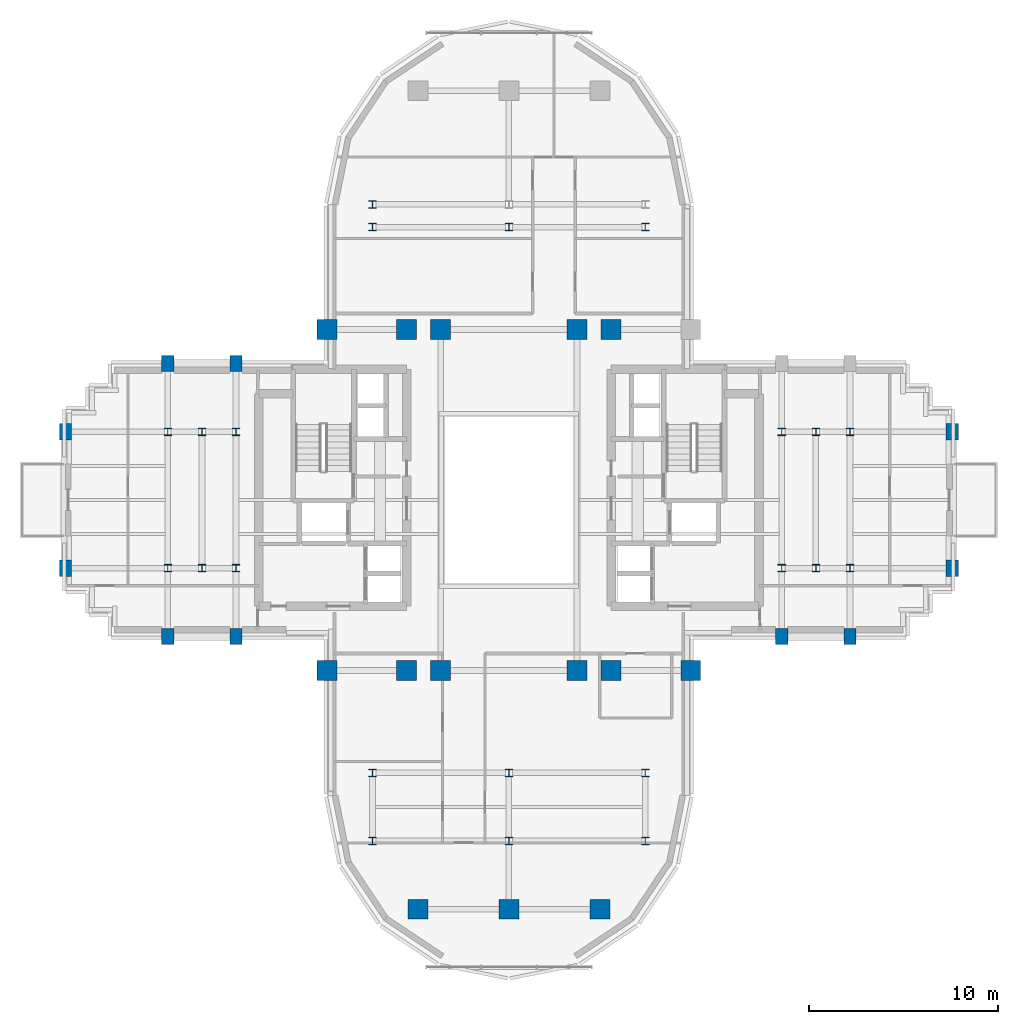
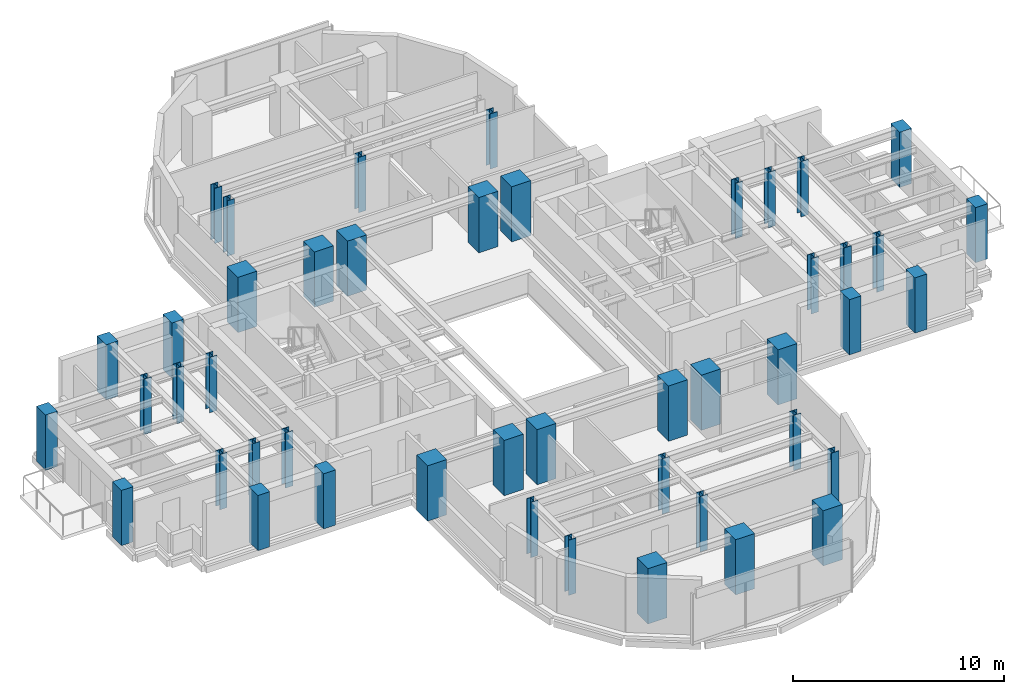
# One storey, part 1 of 13: 46 columns.
"""IFC4 building model written with IfcOpenShell, lengths in metres."""

import ifcopenshell
import ifcopenshell.guid

model = None  # the IFC model being written
_history = None  # IfcOwnerHistory: only IFC2X3 demands one
_inside = {}  # id of a spatial element -> (the spatial element, [elements in it])
_under = {}  # id of a project, library or spatial element -> (it, [spatial elements below it])
_declared = {}  # id of a project -> (the project, [libraries it declares])
_typed = {}  # id of a type object -> (the type object, [elements of that type])
_made_of = {}  # id of a material, layer set ... -> (it, [elements and type objects made of it])


def new_model(schema):
    """Start an empty IFC model of exactly this schema.

    Asked for "IFC4X3", IfcOpenShell would pick the latest addendum, in which some entities
    have other attributes; the version numbers below select the first issue.
    IFC2X3 requires an IfcOwnerHistory on every rooted entity: one is made here for all.
    """
    global model, _history
    if schema == "IFC4X3":
        model = ifcopenshell.file(schema_version=(4, 3, 0, 0))
    else:
        model = ifcopenshell.file(schema=schema)
    _inside.clear()
    _under.clear()
    _declared.clear()
    _typed.clear()
    _made_of.clear()
    _history = None
    if model.schema == "IFC2X3":
        org = make("IfcOrganization", Name="unknown")
        user = make(
            "IfcPersonAndOrganization",
            ThePerson=make("IfcPerson", FamilyName="unknown"),
            TheOrganization=org,
        )
        app = make(
            "IfcApplication",
            ApplicationDeveloper=org,
            Version="unknown",
            ApplicationFullName="unknown",
            ApplicationIdentifier="unknown",
        )
        _history = make(
            "IfcOwnerHistory",
            OwningUser=user,
            OwningApplication=app,
            ChangeAction="ADDED",
            CreationDate=0,
        )
    return model


def make(cls, **values):
    """One entity of the class cls with the attributes given. An attribute that is None is left unset."""
    return model.create_entity(
        cls, **{name: value for name, value in values.items() if value is not None}
    )


def rooted(cls, **values):
    """An entity with a GlobalId (a new one), such as an element, a storey or a relation."""
    return make(cls, GlobalId=ifcopenshell.guid.new(), OwnerHistory=_history, **values)


def si_unit(unit_type, name, prefix=None):
    """IfcSIUnit, for example si_unit("LENGTHUNIT", "METRE", prefix="MILLI")."""
    return make("IfcSIUnit", UnitType=unit_type, Prefix=prefix, Name=name)


def assignment(units):
    """IfcUnitAssignment: the units of a project."""
    return None if units is None else make("IfcUnitAssignment", Units=units)


def point(xyz):
    """IfcCartesianPoint."""
    return None if xyz is None else make("IfcCartesianPoint", Coordinates=xyz)


def direction(xyz):
    """IfcDirection."""
    return None if xyz is None else make("IfcDirection", DirectionRatios=xyz)


def frame(location, z_axis=None, x_axis=None):
    """IfcAxis2Placement3D, a coordinate frame: its origin and axes. An axis left out is left unset."""
    return make(
        "IfcAxis2Placement3D",
        Location=point(location),
        Axis=direction(z_axis),
        RefDirection=direction(x_axis),
    )


def frame_2d(location, x_axis=None):
    """IfcAxis2Placement2D, a coordinate frame in the plane: its origin and x axis."""
    return make(
        "IfcAxis2Placement2D", Location=point(location), RefDirection=direction(x_axis)
    )


def origin():
    """The frame at (0, 0, 0) with its axes left unset."""
    return frame((0.0, 0.0, 0.0))


def origin_2d():
    """The frame at (0, 0) in the plane with its x axis left unset."""
    return frame_2d((0.0, 0.0))


def place(relative_to, where):
    """IfcLocalPlacement: puts the frame where relative to a parent placement (None: the world)."""
    return make(
        "IfcLocalPlacement", PlacementRelTo=relative_to, RelativePlacement=where
    )


def context(
    kind, dimensions, precision=None, world=None, true_north=None, identifier=None
):
    """IfcGeometricRepresentationContext, for example the 3D "Model" context."""
    return make(
        "IfcGeometricRepresentationContext",
        ContextIdentifier=identifier,
        ContextType=kind,
        CoordinateSpaceDimension=dimensions,
        Precision=precision,
        WorldCoordinateSystem=world,
        TrueNorth=true_north,
    )


def subcontext(parent, identifier, kind, view, scale=None):
    """IfcGeometricRepresentationSubContext, for example "Body" below "Model"."""
    return make(
        "IfcGeometricRepresentationSubContext",
        ContextIdentifier=identifier,
        ContextType=kind,
        ParentContext=parent,
        TargetScale=scale,
        TargetView=view,
    )


def project(units=None, contexts=None):
    """IfcProject with its units and contexts."""
    return rooted(
        "IfcProject",
        Name="project",
        RepresentationContexts=contexts,
        UnitsInContext=assignment(units),
    )


def spatial(cls, under=None, at=None, **own):
    """A site, building, storey or space (cls), placed at a placement, below another one or the project."""
    s = rooted(cls, ObjectPlacement=at, **own)
    if under is not None:
        _under.setdefault(under.id(), (under, []))[1].append(s)
    return s


def profile(cls, at=None, kind="AREA", **sizes):
    """A parametric profile (cls). Its sizes go by their IFC names, for example OverallWidth=200.0."""
    return make(cls, ProfileType=kind, Position=at, **sizes)


def rectangle(**sizes):
    """IfcRectangleProfileDef."""
    return profile("IfcRectangleProfileDef", **sizes)


def i_section(**sizes):
    """IfcIShapeProfileDef."""
    return profile("IfcIShapeProfileDef", **sizes)


def extrude(swept, where, along, depth):
    """IfcExtrudedAreaSolid: the profile swept, set in the frame where, extruded along a direction by depth."""
    return make(
        "IfcExtrudedAreaSolid",
        SweptArea=swept,
        Position=where,
        ExtrudedDirection=direction(along),
        Depth=depth,
    )


def shape(context_of_items, identifier, shape_type, items):
    """IfcShapeRepresentation: the items that make up one representation, for example the "Body"."""
    return make(
        "IfcShapeRepresentation",
        ContextOfItems=context_of_items,
        RepresentationIdentifier=identifier,
        RepresentationType=shape_type,
        Items=items,
    )


def source(mapping_origin, context_of_items, identifier, shape_type, items):
    """IfcRepresentationMap: a shape defined once, which mapped items show again and again."""
    return make(
        "IfcRepresentationMap",
        MappingOrigin=mapping_origin,
        MappedRepresentation=shape(context_of_items, identifier, shape_type, items),
    )


def transform(
    local_origin,
    x_axis=None,
    y_axis=None,
    z_axis=None,
    scale=None,
    scale2=None,
    scale3=None,
    uniform=True,
):
    """IfcCartesianTransformationOperator3D, or its non-uniform kind. x_axis, y_axis, z_axis: its Axis1, 2, 3."""
    if uniform:
        return make(
            "IfcCartesianTransformationOperator3D",
            Axis1=direction(x_axis),
            Axis2=direction(y_axis),
            LocalOrigin=point(local_origin),
            Scale=scale,
            Axis3=direction(z_axis),
        )
    return make(
        "IfcCartesianTransformationOperator3DnonUniform",
        Axis1=direction(x_axis),
        Axis2=direction(y_axis),
        LocalOrigin=point(local_origin),
        Scale=scale,
        Axis3=direction(z_axis),
        Scale2=scale2,
        Scale3=scale3,
    )


def mapped(mapping_source, mapping_target):
    """IfcMappedItem: shows the shape of a source again, moved by a transform."""
    return make(
        "IfcMappedItem", MappingSource=mapping_source, MappingTarget=mapping_target
    )


def material(Name=None, Category=None):
    """IfcMaterial."""
    return make("IfcMaterial", Name=Name, Category=Category)


def material_profile(
    of_material, cross_section, Name=None, Category=None, Priority=None
):
    """IfcMaterialProfile: a cross section and its material."""
    return make(
        "IfcMaterialProfile",
        Name=Name,
        Material=of_material,
        Profile=cross_section,
        Priority=Priority,
        Category=Category,
    )


def profile_set(profiles, Name=None, composite=None):
    """IfcMaterialProfileSet."""
    return make(
        "IfcMaterialProfileSet",
        Name=Name,
        MaterialProfiles=profiles,
        CompositeProfile=composite,
    )


def made_of(thing, what):
    """Note that an element or type object is made of a material, layer set ...; save() writes the relation."""
    if what is not None:
        _made_of.setdefault(what.id(), (what, []))[1].append(thing)
    return thing


def type_object(cls, material=None, **own):
    """A type object (cls), such as IfcWallType, which elements share."""
    return made_of(rooted(cls, **own), material)


def element(
    cls,
    number,
    at=None,
    inside=None,
    cuts=None,
    type_object=None,
    material=None,
    context=None,
    identifier="Body",
    shape_type=None,
    held_by="IfcProductDefinitionShape",
    body=None,
    shapes=None,
    **own,
):
    """One element of the class cls, such as IfcWall. Its Tag is "e" and its number.

    at: its placement. inside: the storey or other place that contains it. cuts: it is an
    opening in that element (IfcRelVoidsElement). A single representation is given by context,
    identifier, shape_type and body (its items); several are given by shapes. held_by: the class
    of the entity that holds the representations. save() writes the other relations.
    """
    e = rooted(cls, Tag="e%d" % number, ObjectPlacement=at, **own)
    if body is not None:
        shapes = [shape(context, identifier, shape_type, body)]
    if shapes is not None:
        e.Representation = make(held_by, Representations=shapes)
    if inside is not None:
        _inside.setdefault(inside.id(), (inside, []))[1].append(e)
    if cuts is not None:
        rooted(
            "IfcRelVoidsElement", RelatingBuildingElement=cuts, RelatedOpeningElement=e
        )
    if type_object is not None:
        _typed.setdefault(type_object.id(), (type_object, []))[1].append(e)
    return made_of(e, material)


def aggregate(whole, parts):
    """IfcRelAggregates: a whole, such as a stair, and the parts it consists of."""
    return rooted("IfcRelAggregates", RelatingObject=whole, RelatedObjects=parts)


def save(model, path):
    """Write the relations noted so far, then the file.

    IfcRelAggregates (storeys below a building ...), IfcRelContainedInSpatialStructure (elements
    in a storey), IfcRelDefinesByType, IfcRelAssociatesMaterial and IfcRelDeclares: one each for
    every whole, place, type object, material and project.
    """
    for whole, parts in _under.values():
        aggregate(whole, parts)
    for where, things in _inside.values():
        rooted(
            "IfcRelContainedInSpatialStructure",
            RelatedElements=things,
            RelatingStructure=where,
        )
    for kind, things in _typed.values():
        rooted("IfcRelDefinesByType", RelatedObjects=things, RelatingType=kind)
    for what, things in _made_of.values():
        rooted("IfcRelAssociatesMaterial", RelatedObjects=things, RelatingMaterial=what)
    for by, libraries in _declared.values():
        rooted("IfcRelDeclares", RelatingContext=by, RelatedDefinitions=libraries)
    model.write(path)


model = new_model("IFC4")

# Units and contexts
model_context = context("Model", 3, precision=1e-05, world=origin(), true_north=direction((0.0, 1.0)))
body_context = subcontext(model_context, "Body", "Model", "MODEL_VIEW")
ifc_project = project(units=[si_unit("LENGTHUNIT", "METRE"), si_unit("AREAUNIT", "SQUARE_METRE"), si_unit("VOLUMEUNIT", "CUBIC_METRE"), si_unit("PLANEANGLEUNIT", "RADIAN"), si_unit("MASSUNIT", "GRAM", prefix="KILO")], contexts=[model_context])

# Site, building, storey
site_placement = place(None, origin())
site = spatial("IfcSite", under=ifc_project, at=site_placement, CompositionType="ELEMENT")
building_placement = place(site_placement, origin())
building = spatial("IfcBuilding", under=site, at=building_placement, Name="Keilestroom Media Tower", CompositionType="ELEMENT")
storey_placement = place(building_placement, frame((0.0, 0.0, 107.39990234375)))
storey = spatial("IfcBuildingStorey", under=building, at=storey_placement, Name="L28", CompositionType="ELEMENT", Elevation=107.39990234375)

# Columns
ifc_material_1 = material(Name="Precast concrete C40/50", Category="concrete")
ifc_material_profile_1 = material_profile(ifc_material_1, rectangle(XDim=0.64990234375, YDim=0.85009765625, at=origin_2d()), Name="PC 850x650")
ifc_profile_set_1 = profile_set([ifc_material_profile_1], Name="Precast concrete C40/50")
column_type_1 = type_object("IfcColumnType", Name="Structural-Column-PC-850x650", PredefinedType="COLUMN", material=ifc_profile_set_1)
shared_shape_1 = source(origin(), body_context, "Body", "SweptSolid", [
    extrude(rectangle(XDim=0.64990234375, YDim=0.85009765625, at=origin_2d()), origin(), (0.0, 0.0, 1.0), 3.2001953125),
])
for number, where, z_axis, x_axis, name in (
    (1, (-23.39990234375, -3.60009765625, 0.0), (0.0, 0.0, 1.0), (1.0, 0.0, 0.0), "L28 Column PC-2 (-23.4,-3.6)"),
    (2, (-23.39990234375, 3.60009765625, 0.0), (0.0, 0.0, 1.0), (1.0, 0.0, 0.0), "L28 Column PC-2 (-23.4,+3.6)"),
    (3, (-18.0, -7.199951171875, 0.0), (0.0, 0.0, 1.0), (1.0, 0.0, 0.0), "L28 Column PC-2 (-18.0,-7.2)"),
    (4, (-18.0, 7.199951171875, 0.0), (0.0, 0.0, 1.0), (1.0, 0.0, 0.0), "L28 Column PC-2 (-18.0,+7.2)"),
    (5, (-14.39990234375, -7.199951171875, 0.0), (0.0, 0.0, 1.0), (1.0, 0.0, 0.0), "L28 Column PC-2 (-14.4,-7.2)"),
    (6, (-14.39990234375, 7.199951171875, 0.0), (0.0, 0.0, 1.0), (1.0, 0.0, 0.0), "L28 Column PC-2 (-14.4,+7.2)"),
    (7, (14.39990234375, -7.199951171875, 0.0), (0.0, 0.0, 1.0), (1.0, 0.0, 0.0), "L28 Column PC-2 (+14.4,-7.2)"),
    (8, (18.0, -7.199951171875, 0.0), (0.0, 0.0, 1.0), (1.0, 0.0, 0.0), "L28 Column PC-2 (+18.0,-7.2)"),
    (9, (23.39990234375, -3.60009765625, 0.0), (0.0, 0.0, 1.0), (1.0, 0.0, 0.0), "L28 Column PC-2 (+23.4,-3.6)"),
    (10, (23.39990234375, 3.60009765625, 0.0), (0.0, 0.0, 1.0), (1.0, 0.0, 0.0), "L28 Column PC-2 (+23.4,+3.6)"),
):
    element("IfcColumn", number, at=place(storey_placement, frame(where, z_axis=z_axis, x_axis=x_axis)), inside=storey, type_object=column_type_1, Name=name, PredefinedType="COLUMN", context=body_context, shape_type="MappedRepresentation", body=[
        mapped(shared_shape_1, transform((0.0, 0.0, 0.0), x_axis=(1.0, 0.0, 0.0), y_axis=(0.0, 1.0, 0.0), z_axis=(0.0, 0.0, 1.0), scale=1.0)),
    ])
ifc_material_2 = material(Name="Steel S355", Category="steel")
ifc_material_profile_2 = material_profile(ifc_material_2, i_section(OverallWidth=0.40087890625, OverallDepth=0.39892578125, WebThickness=0.02001953125, FlangeThickness=0.031982421875, at=origin_2d()), Name="HD 400x314")
ifc_profile_set_2 = profile_set([ifc_material_profile_2], Name="Steel S355")
column_type_2 = type_object("IfcColumnType", Name="Structural-Column-HD-400x314", PredefinedType="COLUMN", material=ifc_profile_set_2)
shared_shape_2 = source(origin(), body_context, "Body", "SweptSolid", [
    extrude(i_section(OverallWidth=0.40087890625, OverallDepth=0.39892578125, WebThickness=0.02001953125, FlangeThickness=0.031982421875, at=origin_2d()), origin(), (0.0, 0.0, 1.0), 3.2001953125),
])
for number, where, z_axis, x_axis, name in (
    (11, (-18.0, -3.60009765625, 0.0), (0.0, 0.0, 1.0), (1.0, 0.0, 0.0), "L28 Column SC-3 (-18.0,-3.6)"),
    (12, (-18.0, 3.60009765625, 0.0), (0.0, 0.0, 1.0), (1.0, 0.0, 0.0), "L28 Column SC-3 (-18.0,+3.6)"),
    (13, (-16.199951171875, -3.60009765625, 0.0), (0.0, 0.0, 1.0), (1.0, 0.0, 0.0), "L28 Column SC-3 (-16.2,-3.6)"),
    (14, (-16.199951171875, 3.60009765625, 0.0), (0.0, 0.0, 1.0), (1.0, 0.0, 0.0), "L28 Column SC-3 (-16.2,+3.6)"),
    (15, (-14.39990234375, -3.60009765625, 0.0), (0.0, 0.0, 1.0), (1.0, 0.0, 0.0), "L28 Column SC-3 (-14.4,-3.6)"),
    (16, (-14.39990234375, 3.60009765625, 0.0), (0.0, 0.0, 1.0), (1.0, 0.0, 0.0), "L28 Column SC-3 (-14.4,+3.6)"),
    (17, (-7.199951171875, -18.0, 0.0), (0.0, 0.0, 1.0), (1.0, 0.0, 0.0), "L28 Column SC-3 (-7.2,-18.0)"),
    (18, (-7.199951171875, -14.39990234375, 0.0), (0.0, 0.0, 1.0), (1.0, 0.0, 0.0), "L28 Column SC-3 (-7.2,-14.4)"),
    (19, (-7.199951171875, 14.39990234375, 0.0), (0.0, 0.0, 1.0), (1.0, 0.0, 0.0), "L28 Column SC-3 (-7.2,+14.4)"),
    (20, (-7.199951171875, 15.60009765625, 0.0), (0.0, 0.0, 1.0), (1.0, 0.0, 0.0), "L28 Column SC-3 (-7.2,+15.6)"),
    (21, (0.0, -18.0, 0.0), (0.0, 0.0, 1.0), (1.0, 0.0, 0.0), "L28 Column SC-3 (+0.0,-18.0)"),
    (22, (0.0, -14.39990234375, 0.0), (0.0, 0.0, 1.0), (1.0, 0.0, 0.0), "L28 Column SC-3 (+0.0,-14.4)"),
    (23, (0.0, 14.39990234375, 0.0), (0.0, 0.0, 1.0), (1.0, 0.0, 0.0), "L28 Column SC-3 (+0.0,+14.4)"),
    (24, (7.199951171875, -18.0, 0.0), (0.0, 0.0, 1.0), (1.0, 0.0, 0.0), "L28 Column SC-3 (+7.2,-18.0)"),
    (25, (7.199951171875, -14.39990234375, 0.0), (0.0, 0.0, 1.0), (1.0, 0.0, 0.0), "L28 Column SC-3 (+7.2,-14.4)"),
    (26, (7.199951171875, 14.39990234375, 0.0), (0.0, 0.0, 1.0), (1.0, 0.0, 0.0), "L28 Column SC-3 (+7.2,+14.4)"),
    (27, (14.39990234375, -3.60009765625, 0.0), (0.0, 0.0, 1.0), (1.0, 0.0, 0.0), "L28 Column SC-3 (+14.4,-3.6)"),
    (28, (14.39990234375, 3.60009765625, 0.0), (0.0, 0.0, 1.0), (1.0, 0.0, 0.0), "L28 Column SC-3 (+14.4,+3.6)"),
    (29, (16.199951171875, -3.60009765625, 0.0), (0.0, 0.0, 1.0), (1.0, 0.0, 0.0), "L28 Column SC-3 (+16.2,-3.6)"),
    (30, (16.199951171875, 3.60009765625, 0.0), (0.0, 0.0, 1.0), (1.0, 0.0, 0.0), "L28 Column SC-3 (+16.2,+3.6)"),
    (31, (18.0, -3.60009765625, 0.0), (0.0, 0.0, 1.0), (1.0, 0.0, 0.0), "L28 Column SC-3 (+18.0,-3.6)"),
    (32, (18.0, 3.60009765625, 0.0), (0.0, 0.0, 1.0), (1.0, 0.0, 0.0), "L28 Column SC-3 (+18.0,+3.6)"),
):
    element("IfcColumn", number, at=place(storey_placement, frame(where, z_axis=z_axis, x_axis=x_axis)), inside=storey, type_object=column_type_2, Name=name, PredefinedType="COLUMN", context=body_context, shape_type="MappedRepresentation", body=[
        mapped(shared_shape_2, transform((0.0, 0.0, 0.0), x_axis=(1.0, 0.0, 0.0), y_axis=(0.0, 1.0, 0.0), z_axis=(0.0, 0.0, 1.0), scale=1.0)),
    ])
ifc_material_3 = material(Name="Concrete C55/67", Category="concrete")
ifc_material_profile_3 = material_profile(ifc_material_3, rectangle(XDim=1.050048828125, YDim=1.050048828125, at=origin_2d()), Name="RC 1050x1050")
ifc_profile_set_3 = profile_set([ifc_material_profile_3], Name="Concrete C55/67")
column_type_3 = type_object("IfcColumnType", Name="Structural-Column-RC-1050x1050", PredefinedType="COLUMN", material=ifc_profile_set_3)
shared_shape_3 = source(origin(), body_context, "Body", "SweptSolid", [
    extrude(rectangle(XDim=1.050048828125, YDim=1.050048828125, at=origin_2d()), origin(), (0.0, 0.0, 1.0), 3.2001953125),
])
for number, where, z_axis, x_axis, name in (
    (33, (-9.60009765625, -9.0, 0.0), (0.0, 0.0, 1.0), (1.0, 0.0, 0.0), "L28 Column MC-3 (-9.6,-9.0)"),
    (34, (-9.60009765625, 9.0, 0.0), (0.0, 0.0, 1.0), (1.0, 0.0, 0.0), "L28 Column MC-3 (-9.6,+9.0)"),
    (35, (-5.39990234375, -9.0, 0.0), (0.0, 0.0, 1.0), (1.0, 0.0, 0.0), "L28 Column MC-3 (-5.4,-9.0)"),
    (36, (-5.39990234375, 9.0, 0.0), (0.0, 0.0, 1.0), (1.0, 0.0, 0.0), "L28 Column MC-3 (-5.4,+9.0)"),
    (37, (-4.800048828125, -21.60009765625, 0.0), (0.0, 0.0, 1.0), (1.0, 0.0, 0.0), "L28 Column MC-3 (-4.8,-21.6)"),
    (38, (-3.60009765625, -9.0, 0.0), (0.0, 0.0, 1.0), (1.0, 0.0, 0.0), "L28 Column MC-3 (-3.6,-9.0)"),
    (39, (-3.60009765625, 9.0, 0.0), (0.0, 0.0, 1.0), (1.0, 0.0, 0.0), "L28 Column MC-3 (-3.6,+9.0)"),
    (40, (0.0, -21.60009765625, 0.0), (0.0, 0.0, 1.0), (1.0, 0.0, 0.0), "L28 Column MC-3 (+0.0,-21.6)"),
    (41, (3.60009765625, -9.0, 0.0), (0.0, 0.0, 1.0), (1.0, 0.0, 0.0), "L28 Column MC-3 (+3.6,-9.0)"),
    (42, (3.60009765625, 9.0, 0.0), (0.0, 0.0, 1.0), (1.0, 0.0, 0.0), "L28 Column MC-3 (+3.6,+9.0)"),
    (43, (4.800048828125, -21.60009765625, 0.0), (0.0, 0.0, 1.0), (1.0, 0.0, 0.0), "L28 Column MC-3 (+4.8,-21.6)"),
    (44, (5.39990234375, -9.0, 0.0), (0.0, 0.0, 1.0), (1.0, 0.0, 0.0), "L28 Column MC-3 (+5.4,-9.0)"),
    (45, (5.39990234375, 9.0, 0.0), (0.0, 0.0, 1.0), (1.0, 0.0, 0.0), "L28 Column MC-3 (+5.4,+9.0)"),
    (46, (9.60009765625, -9.0, 0.0), (0.0, 0.0, 1.0), (1.0, 0.0, 0.0), "L28 Column MC-3 (+9.6,-9.0)"),
):
    element("IfcColumn", number, at=place(storey_placement, frame(where, z_axis=z_axis, x_axis=x_axis)), inside=storey, type_object=column_type_3, Name=name, PredefinedType="COLUMN", context=body_context, shape_type="MappedRepresentation", body=[
        mapped(shared_shape_3, transform((0.0, 0.0, 0.0), x_axis=(1.0, 0.0, 0.0), y_axis=(0.0, 1.0, 0.0), z_axis=(0.0, 0.0, 1.0), scale=1.0)),
    ])

save(model, "model.ifc")
